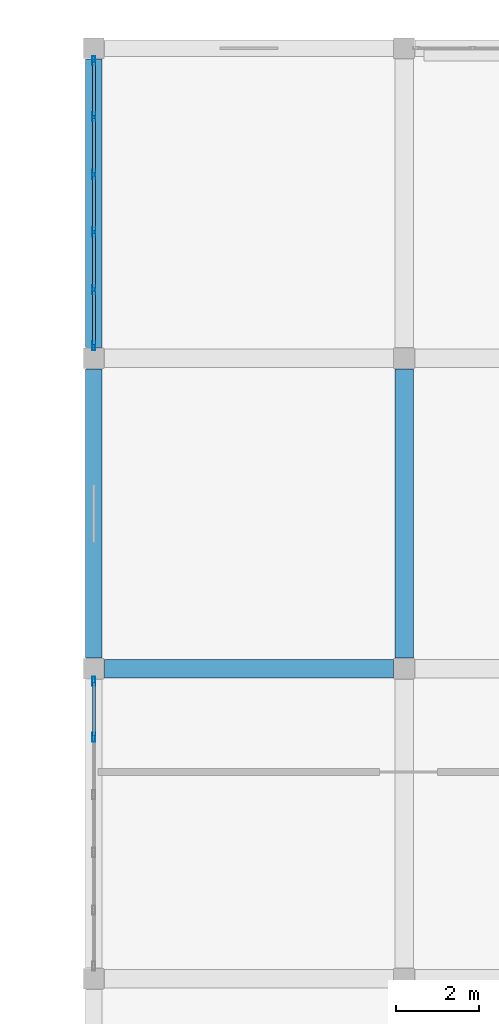
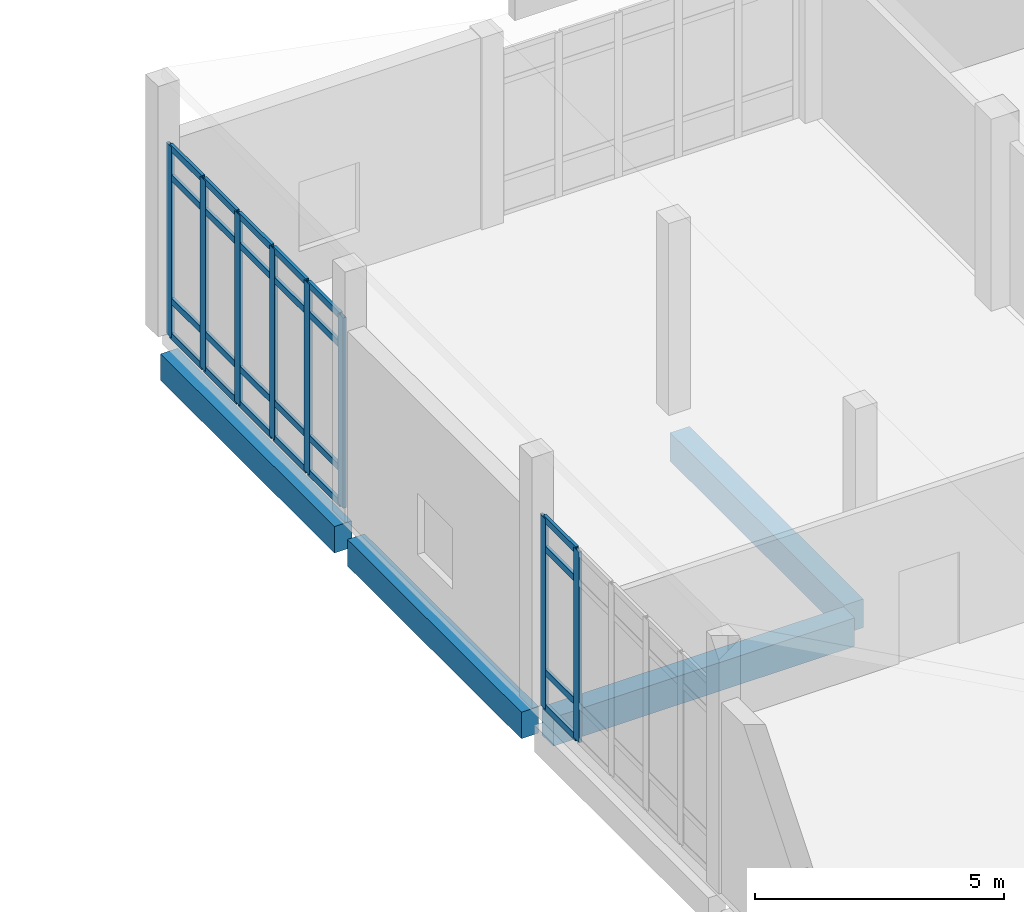
# One storey, part 70 of 173: 32 members, 4 beams, 2 elements without a shape of their own.
"""IFC4 building model written with IfcOpenShell, lengths in metres."""

from ifc_helpers import new_model, si_unit, direction, frame, origin, origin_2d, place, context, subcontext, project, spatial, rectangle, hollow_rectangle, extrude, material, layer, layer_set, material_profile, profile_set, type_object, element, aggregate, save


model = new_model("IFC4")

# Units and contexts
model_context = context("Model", 3, precision=1e-05, world=origin(), true_north=direction((0.0, 1.0)))
body_context = subcontext(model_context, "Body", "Model", "MODEL_VIEW")
ifc_project = project(units=[si_unit("LENGTHUNIT", "METRE"), si_unit("AREAUNIT", "SQUARE_METRE"), si_unit("VOLUMEUNIT", "CUBIC_METRE"), si_unit("PLANEANGLEUNIT", "RADIAN"), si_unit("MASSUNIT", "GRAM", prefix="KILO")], contexts=[model_context])

# Site, building, storey
site_placement = place(None, origin())
site = spatial("IfcSite", under=ifc_project, at=site_placement, CompositionType="ELEMENT")
building_placement = place(site_placement, origin())
building = spatial("IfcBuilding", under=site, at=building_placement, Name="Mawjan Specialist Oncology Clinic", CompositionType="ELEMENT")
storey_placement = place(building_placement, origin())
storey = spatial("IfcBuildingStorey", under=building, at=storey_placement, Name="L00", CompositionType="ELEMENT", Elevation=0.0)

# Beams
ifc_material_1 = material(Name="Concrete C40/50", Category="concrete")
ifc_material_profile_1 = material_profile(ifc_material_1, rectangle(XDim=0.449951171875, YDim=0.699951171875, at=origin_2d()), Name="RC BM 450x700", Category="concrete")
ifc_profile_set_1 = profile_set([ifc_material_profile_1], Name="Concrete C40/50")
beam_type_1 = type_object("IfcBeamType", Name="BM-450x700", PredefinedType="BEAM", material=ifc_profile_set_1)
for number, where, z_axis, x_axis, name in (
    (1, (30.260009765625, 98.300048828125, -0.77001953125), (1.0, 0.0, 0.0), (0.0, 1.0, 0.0), "L00 Collector Beam BM-L00-0062"),
    (2, (37.5, 98.56005859375, -0.77001953125), (0.0, 1.0, 0.0), (-1.0, 0.0, 0.0), "L00 Collector Beam BM-L00-0120"),
):
    element("IfcBeam", number, at=place(storey_placement, frame(where, z_axis=z_axis, x_axis=x_axis)), inside=storey, type_object=beam_type_1, Name=name, PredefinedType="BEAM", context=body_context, shape_type="SweptSolid", body=[
        extrude(rectangle(XDim=0.449951171875, YDim=0.699951171875, at=origin_2d()), origin(), (0.0, 0.0, 1.0), 6.97998046875),
    ])

# Curtain wall, members
ifc_material_2 = material(Name="Unitised spectrally selective aluminium curtain wall", Category="aluminium")
ifc_layer = layer(ifc_material_2, 0.179931640625, Name="Unitised spectrally selective aluminium curtain wall", Category="aluminium")
ifc_layer_set = layer_set([ifc_layer], Name="Unitised spectrally selective aluminium curtain wall")
curtain_wall_type = type_object("IfcCurtainWallType", Name="CW-11", PredefinedType="NOTDEFINED", material=ifc_layer_set)
curtain_wall_1_placement = place(storey_placement, origin())
curtain_wall_1 = element("IfcCurtainWall", 3, at=curtain_wall_1_placement, inside=storey, type_object=curtain_wall_type, Name="L00 Unitised Curtain Wall CW-L00-018", PredefinedType="NOTDEFINED")
ifc_material_3 = material(Name="Thermally broken aluminium 6063-T6", Category="aluminium")
ifc_material_profile_2 = material_profile(ifc_material_3, hollow_rectangle(XDim=0.070068359375, YDim=0.219970703125, WallThickness=0.00390625, at=origin_2d()), Name="ALU MULLION 220x70x4", Category="aluminium")
ifc_profile_set_2 = profile_set([ifc_material_profile_2], Name="Thermally broken aluminium 6063-T6")
member_type_1 = type_object("IfcMemberType", Name="CW-M220", PredefinedType="MULLION", material=ifc_profile_set_2)
member_1_placement = place(storey_placement, frame((30.0, 96.637939453125, 0.0), z_axis=(0.0, 0.0, 1.0), x_axis=(-1.0, 0.0, 0.0)))
member_1 = element("IfcMember", 4, at=member_1_placement, type_object=member_type_1, Name="CW-11 mullion 5", PredefinedType="MULLION", context=body_context, shape_type="SweptSolid", body=[
    extrude(hollow_rectangle(XDim=0.070068359375, YDim=0.219970703125, WallThickness=0.00390625, at=origin_2d()), origin(), (0.0, 0.0, 1.0), 4.669921875),
])
member_2_placement = place(storey_placement, frame((30.0, 97.9951171875, 0.0), z_axis=(0.0, 0.0, 1.0), x_axis=(-1.0, 0.0, 0.0)))
member_2 = element("IfcMember", 5, at=member_2_placement, type_object=member_type_1, Name="CW-11 mullion 6", PredefinedType="MULLION", context=body_context, shape_type="SweptSolid", body=[
    extrude(hollow_rectangle(XDim=0.070068359375, YDim=0.219970703125, WallThickness=0.00390625, at=origin_2d()), origin(), (0.0, 0.0, 1.0), 4.669921875),
])

curtain_wall_2_placement = place(storey_placement, origin())
curtain_wall_2 = element("IfcCurtainWall", 6, at=curtain_wall_2_placement, inside=storey, type_object=curtain_wall_type, Name="L00 Unitised Curtain Wall CW-L00-019", PredefinedType="NOTDEFINED")
member_3_placement = place(storey_placement, frame((30.0, 106.10498046875, 0.0), z_axis=(0.0, 0.0, 1.0), x_axis=(-1.0, 0.0, 0.0)))
member_3 = element("IfcMember", 7, at=member_3_placement, type_object=member_type_1, Name="CW-11 mullion 1", PredefinedType="MULLION", context=body_context, shape_type="SweptSolid", body=[
    extrude(hollow_rectangle(XDim=0.070068359375, YDim=0.219970703125, WallThickness=0.00390625, at=origin_2d()), origin(), (0.0, 0.0, 1.0), 4.669921875),
])
member_4_placement = place(storey_placement, frame((30.0, 107.4619140625, 0.0), z_axis=(0.0, 0.0, 1.0), x_axis=(-1.0, 0.0, 0.0)))
member_4 = element("IfcMember", 8, at=member_4_placement, type_object=member_type_1, Name="CW-11 mullion 2", PredefinedType="MULLION", context=body_context, shape_type="SweptSolid", body=[
    extrude(hollow_rectangle(XDim=0.070068359375, YDim=0.219970703125, WallThickness=0.00390625, at=origin_2d()), origin(), (0.0, 0.0, 1.0), 4.669921875),
])
member_5_placement = place(storey_placement, frame((30.0, 108.85400390625, 0.0), z_axis=(0.0, 0.0, 1.0), x_axis=(-1.0, 0.0, 0.0)))
member_5 = element("IfcMember", 9, at=member_5_placement, type_object=member_type_1, Name="CW-11 mullion 3", PredefinedType="MULLION", context=body_context, shape_type="SweptSolid", body=[
    extrude(hollow_rectangle(XDim=0.070068359375, YDim=0.219970703125, WallThickness=0.00390625, at=origin_2d()), origin(), (0.0, 0.0, 1.0), 4.669921875),
])
member_6_placement = place(storey_placement, frame((30.0, 110.24609375, 0.0), z_axis=(0.0, 0.0, 1.0), x_axis=(-1.0, 0.0, 0.0)))
member_6 = element("IfcMember", 10, at=member_6_placement, type_object=member_type_1, Name="CW-11 mullion 4", PredefinedType="MULLION", context=body_context, shape_type="SweptSolid", body=[
    extrude(hollow_rectangle(XDim=0.070068359375, YDim=0.219970703125, WallThickness=0.00390625, at=origin_2d()), origin(), (0.0, 0.0, 1.0), 4.669921875),
])
member_7_placement = place(storey_placement, frame((30.0, 111.637939453125, 0.0), z_axis=(0.0, 0.0, 1.0), x_axis=(-1.0, 0.0, 0.0)))
member_7 = element("IfcMember", 11, at=member_7_placement, type_object=member_type_1, Name="CW-11 mullion 5", PredefinedType="MULLION", context=body_context, shape_type="SweptSolid", body=[
    extrude(hollow_rectangle(XDim=0.070068359375, YDim=0.219970703125, WallThickness=0.00390625, at=origin_2d()), origin(), (0.0, 0.0, 1.0), 4.669921875),
])
member_8_placement = place(storey_placement, frame((30.0, 112.9951171875, 0.0), z_axis=(0.0, 0.0, 1.0), x_axis=(-1.0, 0.0, 0.0)))
member_8 = element("IfcMember", 12, at=member_8_placement, type_object=member_type_1, Name="CW-11 mullion 6", PredefinedType="MULLION", context=body_context, shape_type="SweptSolid", body=[
    extrude(hollow_rectangle(XDim=0.070068359375, YDim=0.219970703125, WallThickness=0.00390625, at=origin_2d()), origin(), (0.0, 0.0, 1.0), 4.669921875),
])

# Member
ifc_material_4 = material(Name="Thermally broken aluminium 6063-T6", Category="aluminium")
ifc_material_profile_3 = material_profile(ifc_material_4, hollow_rectangle(XDim=0.070068359375, YDim=0.159912109375, WallThickness=0.00390625, at=origin_2d()), Name="ALU TRANSOM 160x70x4", Category="aluminium")
ifc_profile_set_3 = profile_set([ifc_material_profile_3], Name="Thermally broken aluminium 6063-T6")
member_type_2 = type_object("IfcMemberType", Name="CW-T160", PredefinedType="USERDEFINED", material=ifc_profile_set_3)
member_9_placement = place(storey_placement, frame((30.0, 96.673095703125, 0.034912109375), z_axis=(0.0, 1.0, 0.0), x_axis=(-1.0, 0.0, 0.0)))
member_9 = element("IfcMember", 13, at=member_9_placement, type_object=member_type_2, Name="CW-11 transom 5.1", ObjectType="TRANSOM", PredefinedType="USERDEFINED", context=body_context, shape_type="SweptSolid", body=[
    extrude(hollow_rectangle(XDim=0.070068359375, YDim=0.159912109375, WallThickness=0.00390625, at=origin_2d()), origin(), (0.0, 0.0, 1.0), 1.286865234375),
])

member_10_placement = place(storey_placement, frame((30.0, 96.673095703125, 0.89990234375), z_axis=(0.0, 1.0, 0.0), x_axis=(-1.0, 0.0, 0.0)))
member_10 = element("IfcMember", 14, at=member_10_placement, type_object=member_type_2, Name="CW-11 transom 5.2", ObjectType="TRANSOM", PredefinedType="USERDEFINED", context=body_context, shape_type="SweptSolid", body=[
    extrude(hollow_rectangle(XDim=0.070068359375, YDim=0.159912109375, WallThickness=0.00390625, at=origin_2d()), origin(), (0.0, 0.0, 1.0), 1.286865234375),
])

member_11_placement = place(storey_placement, frame((30.0, 96.673095703125, 3.919921875), z_axis=(0.0, 1.0, 0.0), x_axis=(-1.0, 0.0, 0.0)))
member_11 = element("IfcMember", 15, at=member_11_placement, type_object=member_type_2, Name="CW-11 transom 5.3", ObjectType="TRANSOM", PredefinedType="USERDEFINED", context=body_context, shape_type="SweptSolid", body=[
    extrude(hollow_rectangle(XDim=0.070068359375, YDim=0.159912109375, WallThickness=0.00390625, at=origin_2d()), origin(), (0.0, 0.0, 1.0), 1.286865234375),
])

member_12_placement = place(storey_placement, frame((30.0, 96.673095703125, 4.635009765625), z_axis=(0.0, 1.0, 0.0), x_axis=(-1.0, 0.0, 0.0)))
member_12 = element("IfcMember", 16, at=member_12_placement, type_object=member_type_2, Name="CW-11 transom 5.4", ObjectType="TRANSOM", PredefinedType="USERDEFINED", context=body_context, shape_type="SweptSolid", body=[
    extrude(hollow_rectangle(XDim=0.070068359375, YDim=0.159912109375, WallThickness=0.00390625, at=origin_2d()), origin(), (0.0, 0.0, 1.0), 1.286865234375),
])

aggregate(curtain_wall_1, [member_1, member_2, member_9, member_10, member_11, member_12])

member_13_placement = place(storey_placement, frame((30.0, 106.139892578125, 0.034912109375), z_axis=(0.0, 1.0, 0.0), x_axis=(-1.0, 0.0, 0.0)))
member_13 = element("IfcMember", 17, at=member_13_placement, type_object=member_type_2, Name="CW-11 transom 1.1", ObjectType="TRANSOM", PredefinedType="USERDEFINED", context=body_context, shape_type="SweptSolid", body=[
    extrude(hollow_rectangle(XDim=0.070068359375, YDim=0.159912109375, WallThickness=0.00390625, at=origin_2d()), origin(), (0.0, 0.0, 1.0), 1.287109375),
])

member_14_placement = place(storey_placement, frame((30.0, 106.139892578125, 0.89990234375), z_axis=(0.0, 1.0, 0.0), x_axis=(-1.0, 0.0, 0.0)))
member_14 = element("IfcMember", 18, at=member_14_placement, type_object=member_type_2, Name="CW-11 transom 1.2", ObjectType="TRANSOM", PredefinedType="USERDEFINED", context=body_context, shape_type="SweptSolid", body=[
    extrude(hollow_rectangle(XDim=0.070068359375, YDim=0.159912109375, WallThickness=0.00390625, at=origin_2d()), origin(), (0.0, 0.0, 1.0), 1.287109375),
])

member_15_placement = place(storey_placement, frame((30.0, 106.139892578125, 3.919921875), z_axis=(0.0, 1.0, 0.0), x_axis=(-1.0, 0.0, 0.0)))
member_15 = element("IfcMember", 19, at=member_15_placement, type_object=member_type_2, Name="CW-11 transom 1.3", ObjectType="TRANSOM", PredefinedType="USERDEFINED", context=body_context, shape_type="SweptSolid", body=[
    extrude(hollow_rectangle(XDim=0.070068359375, YDim=0.159912109375, WallThickness=0.00390625, at=origin_2d()), origin(), (0.0, 0.0, 1.0), 1.287109375),
])

member_16_placement = place(storey_placement, frame((30.0, 106.139892578125, 4.635009765625), z_axis=(0.0, 1.0, 0.0), x_axis=(-1.0, 0.0, 0.0)))
member_16 = element("IfcMember", 20, at=member_16_placement, type_object=member_type_2, Name="CW-11 transom 1.4", ObjectType="TRANSOM", PredefinedType="USERDEFINED", context=body_context, shape_type="SweptSolid", body=[
    extrude(hollow_rectangle(XDim=0.070068359375, YDim=0.159912109375, WallThickness=0.00390625, at=origin_2d()), origin(), (0.0, 0.0, 1.0), 1.287109375),
])

member_17_placement = place(storey_placement, frame((30.0, 107.4970703125, 0.034912109375), z_axis=(0.0, 1.0, 0.0), x_axis=(-1.0, 0.0, 0.0)))
member_17 = element("IfcMember", 21, at=member_17_placement, type_object=member_type_2, Name="CW-11 transom 2.1", ObjectType="TRANSOM", PredefinedType="USERDEFINED", context=body_context, shape_type="SweptSolid", body=[
    extrude(hollow_rectangle(XDim=0.070068359375, YDim=0.159912109375, WallThickness=0.00390625, at=origin_2d()), origin(), (0.0, 0.0, 1.0), 1.322021484375),
])

member_18_placement = place(storey_placement, frame((30.0, 107.4970703125, 0.89990234375), z_axis=(0.0, 1.0, 0.0), x_axis=(-1.0, 0.0, 0.0)))
member_18 = element("IfcMember", 22, at=member_18_placement, type_object=member_type_2, Name="CW-11 transom 2.2", ObjectType="TRANSOM", PredefinedType="USERDEFINED", context=body_context, shape_type="SweptSolid", body=[
    extrude(hollow_rectangle(XDim=0.070068359375, YDim=0.159912109375, WallThickness=0.00390625, at=origin_2d()), origin(), (0.0, 0.0, 1.0), 1.322021484375),
])

member_19_placement = place(storey_placement, frame((30.0, 107.4970703125, 3.919921875), z_axis=(0.0, 1.0, 0.0), x_axis=(-1.0, 0.0, 0.0)))
member_19 = element("IfcMember", 23, at=member_19_placement, type_object=member_type_2, Name="CW-11 transom 2.3", ObjectType="TRANSOM", PredefinedType="USERDEFINED", context=body_context, shape_type="SweptSolid", body=[
    extrude(hollow_rectangle(XDim=0.070068359375, YDim=0.159912109375, WallThickness=0.00390625, at=origin_2d()), origin(), (0.0, 0.0, 1.0), 1.322021484375),
])

member_20_placement = place(storey_placement, frame((30.0, 107.4970703125, 4.635009765625), z_axis=(0.0, 1.0, 0.0), x_axis=(-1.0, 0.0, 0.0)))
member_20 = element("IfcMember", 24, at=member_20_placement, type_object=member_type_2, Name="CW-11 transom 2.4", ObjectType="TRANSOM", PredefinedType="USERDEFINED", context=body_context, shape_type="SweptSolid", body=[
    extrude(hollow_rectangle(XDim=0.070068359375, YDim=0.159912109375, WallThickness=0.00390625, at=origin_2d()), origin(), (0.0, 0.0, 1.0), 1.322021484375),
])

member_21_placement = place(storey_placement, frame((30.0, 108.888916015625, 0.034912109375), z_axis=(0.0, 1.0, 0.0), x_axis=(-1.0, 0.0, 0.0)))
member_21 = element("IfcMember", 25, at=member_21_placement, type_object=member_type_2, Name="CW-11 transom 3.1", ObjectType="TRANSOM", PredefinedType="USERDEFINED", context=body_context, shape_type="SweptSolid", body=[
    extrude(hollow_rectangle(XDim=0.070068359375, YDim=0.159912109375, WallThickness=0.00390625, at=origin_2d()), origin(), (0.0, 0.0, 1.0), 1.322021484375),
])

member_22_placement = place(storey_placement, frame((30.0, 108.888916015625, 0.89990234375), z_axis=(0.0, 1.0, 0.0), x_axis=(-1.0, 0.0, 0.0)))
member_22 = element("IfcMember", 26, at=member_22_placement, type_object=member_type_2, Name="CW-11 transom 3.2", ObjectType="TRANSOM", PredefinedType="USERDEFINED", context=body_context, shape_type="SweptSolid", body=[
    extrude(hollow_rectangle(XDim=0.070068359375, YDim=0.159912109375, WallThickness=0.00390625, at=origin_2d()), origin(), (0.0, 0.0, 1.0), 1.322021484375),
])

member_23_placement = place(storey_placement, frame((30.0, 108.888916015625, 3.919921875), z_axis=(0.0, 1.0, 0.0), x_axis=(-1.0, 0.0, 0.0)))
member_23 = element("IfcMember", 27, at=member_23_placement, type_object=member_type_2, Name="CW-11 transom 3.3", ObjectType="TRANSOM", PredefinedType="USERDEFINED", context=body_context, shape_type="SweptSolid", body=[
    extrude(hollow_rectangle(XDim=0.070068359375, YDim=0.159912109375, WallThickness=0.00390625, at=origin_2d()), origin(), (0.0, 0.0, 1.0), 1.322021484375),
])

member_24_placement = place(storey_placement, frame((30.0, 108.888916015625, 4.635009765625), z_axis=(0.0, 1.0, 0.0), x_axis=(-1.0, 0.0, 0.0)))
member_24 = element("IfcMember", 28, at=member_24_placement, type_object=member_type_2, Name="CW-11 transom 3.4", ObjectType="TRANSOM", PredefinedType="USERDEFINED", context=body_context, shape_type="SweptSolid", body=[
    extrude(hollow_rectangle(XDim=0.070068359375, YDim=0.159912109375, WallThickness=0.00390625, at=origin_2d()), origin(), (0.0, 0.0, 1.0), 1.322021484375),
])

member_25_placement = place(storey_placement, frame((30.0, 110.281005859375, 0.034912109375), z_axis=(0.0, 1.0, 0.0), x_axis=(-1.0, 0.0, 0.0)))
member_25 = element("IfcMember", 29, at=member_25_placement, type_object=member_type_2, Name="CW-11 transom 4.1", ObjectType="TRANSOM", PredefinedType="USERDEFINED", context=body_context, shape_type="SweptSolid", body=[
    extrude(hollow_rectangle(XDim=0.070068359375, YDim=0.159912109375, WallThickness=0.00390625, at=origin_2d()), origin(), (0.0, 0.0, 1.0), 1.322021484375),
])

member_26_placement = place(storey_placement, frame((30.0, 110.281005859375, 0.89990234375), z_axis=(0.0, 1.0, 0.0), x_axis=(-1.0, 0.0, 0.0)))
member_26 = element("IfcMember", 30, at=member_26_placement, type_object=member_type_2, Name="CW-11 transom 4.2", ObjectType="TRANSOM", PredefinedType="USERDEFINED", context=body_context, shape_type="SweptSolid", body=[
    extrude(hollow_rectangle(XDim=0.070068359375, YDim=0.159912109375, WallThickness=0.00390625, at=origin_2d()), origin(), (0.0, 0.0, 1.0), 1.322021484375),
])

member_27_placement = place(storey_placement, frame((30.0, 110.281005859375, 3.919921875), z_axis=(0.0, 1.0, 0.0), x_axis=(-1.0, 0.0, 0.0)))
member_27 = element("IfcMember", 31, at=member_27_placement, type_object=member_type_2, Name="CW-11 transom 4.3", ObjectType="TRANSOM", PredefinedType="USERDEFINED", context=body_context, shape_type="SweptSolid", body=[
    extrude(hollow_rectangle(XDim=0.070068359375, YDim=0.159912109375, WallThickness=0.00390625, at=origin_2d()), origin(), (0.0, 0.0, 1.0), 1.322021484375),
])

member_28_placement = place(storey_placement, frame((30.0, 110.281005859375, 4.635009765625), z_axis=(0.0, 1.0, 0.0), x_axis=(-1.0, 0.0, 0.0)))
member_28 = element("IfcMember", 32, at=member_28_placement, type_object=member_type_2, Name="CW-11 transom 4.4", ObjectType="TRANSOM", PredefinedType="USERDEFINED", context=body_context, shape_type="SweptSolid", body=[
    extrude(hollow_rectangle(XDim=0.070068359375, YDim=0.159912109375, WallThickness=0.00390625, at=origin_2d()), origin(), (0.0, 0.0, 1.0), 1.322021484375),
])

member_29_placement = place(storey_placement, frame((30.0, 111.673095703125, 0.034912109375), z_axis=(0.0, 1.0, 0.0), x_axis=(-1.0, 0.0, 0.0)))
member_29 = element("IfcMember", 33, at=member_29_placement, type_object=member_type_2, Name="CW-11 transom 5.1", ObjectType="TRANSOM", PredefinedType="USERDEFINED", context=body_context, shape_type="SweptSolid", body=[
    extrude(hollow_rectangle(XDim=0.070068359375, YDim=0.159912109375, WallThickness=0.00390625, at=origin_2d()), origin(), (0.0, 0.0, 1.0), 1.286865234375),
])

member_30_placement = place(storey_placement, frame((30.0, 111.673095703125, 0.89990234375), z_axis=(0.0, 1.0, 0.0), x_axis=(-1.0, 0.0, 0.0)))
member_30 = element("IfcMember", 34, at=member_30_placement, type_object=member_type_2, Name="CW-11 transom 5.2", ObjectType="TRANSOM", PredefinedType="USERDEFINED", context=body_context, shape_type="SweptSolid", body=[
    extrude(hollow_rectangle(XDim=0.070068359375, YDim=0.159912109375, WallThickness=0.00390625, at=origin_2d()), origin(), (0.0, 0.0, 1.0), 1.286865234375),
])

member_31_placement = place(storey_placement, frame((30.0, 111.673095703125, 3.919921875), z_axis=(0.0, 1.0, 0.0), x_axis=(-1.0, 0.0, 0.0)))
member_31 = element("IfcMember", 35, at=member_31_placement, type_object=member_type_2, Name="CW-11 transom 5.3", ObjectType="TRANSOM", PredefinedType="USERDEFINED", context=body_context, shape_type="SweptSolid", body=[
    extrude(hollow_rectangle(XDim=0.070068359375, YDim=0.159912109375, WallThickness=0.00390625, at=origin_2d()), origin(), (0.0, 0.0, 1.0), 1.286865234375),
])

member_32_placement = place(storey_placement, frame((30.0, 111.673095703125, 4.635009765625), z_axis=(0.0, 1.0, 0.0), x_axis=(-1.0, 0.0, 0.0)))
member_32 = element("IfcMember", 36, at=member_32_placement, type_object=member_type_2, Name="CW-11 transom 5.4", ObjectType="TRANSOM", PredefinedType="USERDEFINED", context=body_context, shape_type="SweptSolid", body=[
    extrude(hollow_rectangle(XDim=0.070068359375, YDim=0.159912109375, WallThickness=0.00390625, at=origin_2d()), origin(), (0.0, 0.0, 1.0), 1.286865234375),
])

aggregate(curtain_wall_2, [member_3, member_4, member_5, member_6, member_7, member_8, member_13, member_14, member_15, member_16, member_17, member_18, member_19, member_20, member_21, member_22, member_23, member_24, member_25, member_26, member_27, member_28, member_29, member_30, member_31, member_32])

# Beams
ifc_material_5 = material(Name="Concrete C45/55", Category="concrete")
ifc_material_profile_4 = material_profile(ifc_material_5, rectangle(XDim=0.39990234375, YDim=0.64990234375, at=origin_2d()), Name="RC BM 400x650", Category="concrete")
ifc_profile_set_4 = profile_set([ifc_material_profile_4], Name="Concrete C45/55")
beam_type_2 = type_object("IfcBeamType", Name="SP-400x650", PredefinedType="SPANDREL", material=ifc_profile_set_4)
for number, where, z_axis, x_axis, name in (
    (37, (30.0, 98.56005859375, -0.7451171875), (0.0, 1.0, 0.0), (-1.0, 0.0, 0.0), "L00 Spandrel Beam BM-L00-0116"),
    (38, (30.0, 106.06005859375, -0.7451171875), (0.0, 1.0, 0.0), (-1.0, 0.0, 0.0), "L00 Spandrel Beam BM-L00-0117"),
):
    element("IfcBeam", number, at=place(storey_placement, frame(where, z_axis=z_axis, x_axis=x_axis)), inside=storey, type_object=beam_type_2, Name=name, PredefinedType="SPANDREL", context=body_context, shape_type="SweptSolid", body=[
        extrude(rectangle(XDim=0.39990234375, YDim=0.64990234375, at=origin_2d()), origin(), (0.0, 0.0, 1.0), 6.97998046875),
    ])

save(model, "model.ifc")
